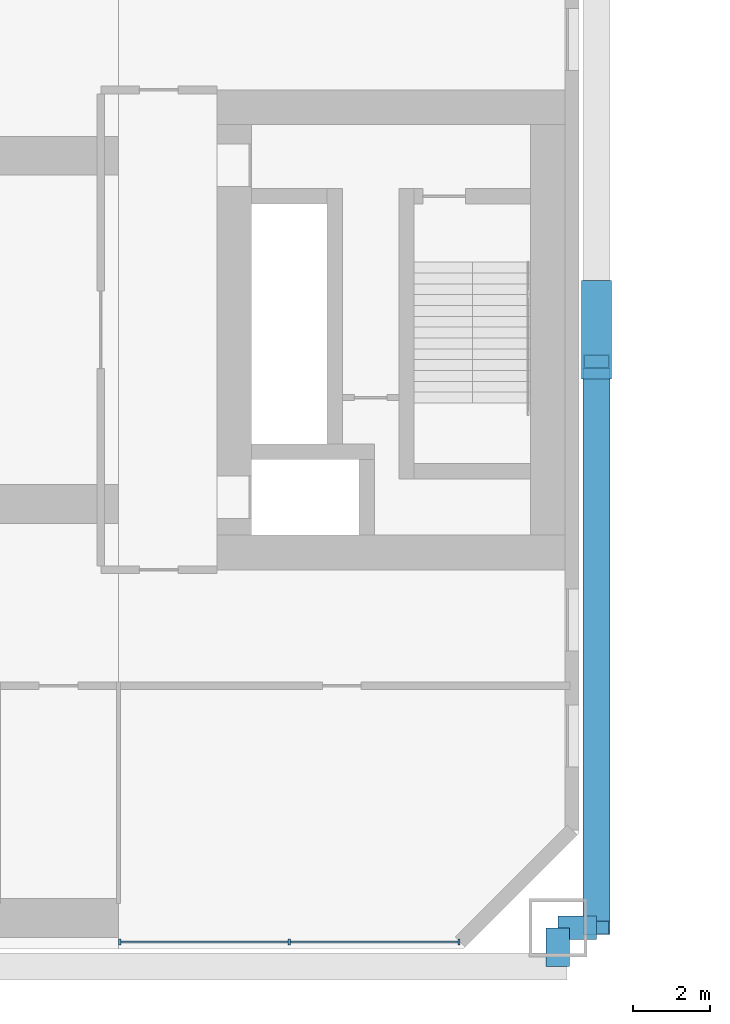
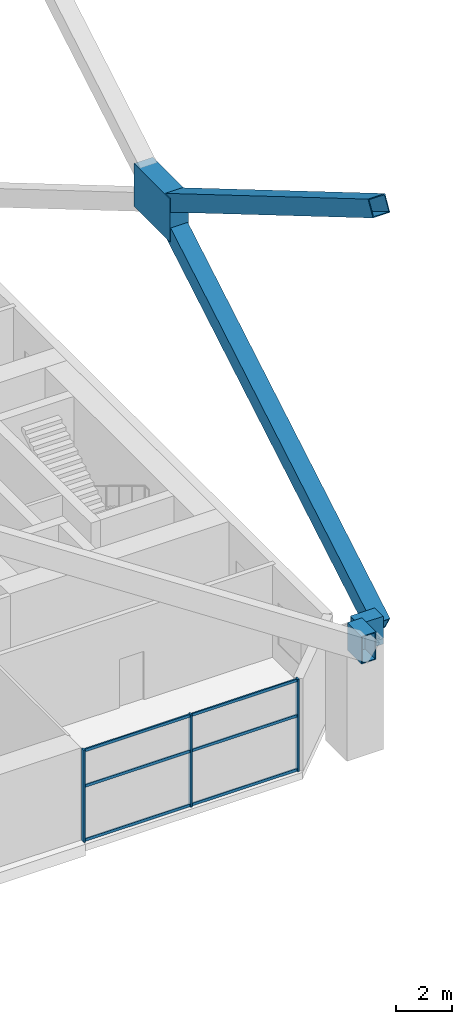
# One storey, part 5 of 25: 12 members, 2 beams, 1 element without a shape of its own.
"""IFC4 building model written with IfcOpenShell, lengths in metres."""

from ifc_helpers import new_model, si_unit, direction, frame, origin, origin_2d, place, context, subcontext, project, spatial, rectangle, hollow_rectangle, extrude, material, material_profile, profile_set, type_object, element, aggregate, save


model = new_model("IFC4")

# Units and contexts
model_context = context("Model", 3, precision=1e-05, world=origin(), true_north=direction((0.0, 1.0)))
body_context = subcontext(model_context, "Body", "Model", "MODEL_VIEW")
ifc_project = project(units=[si_unit("LENGTHUNIT", "METRE"), si_unit("AREAUNIT", "SQUARE_METRE"), si_unit("VOLUMEUNIT", "CUBIC_METRE"), si_unit("PLANEANGLEUNIT", "RADIAN"), si_unit("MASSUNIT", "GRAM", prefix="KILO")], contexts=[model_context])

# Site, building, storey
site_placement = place(None, origin())
site = spatial("IfcSite", under=ifc_project, at=site_placement, CompositionType="ELEMENT")
building_placement = place(site_placement, origin())
building = spatial("IfcBuilding", under=site, at=building_placement, Name="Tuart Gate Housing", CompositionType="ELEMENT")
storey_placement = place(building_placement, frame((0.0, 0.0, 14.699951171875)))
storey = spatial("IfcBuildingStorey", under=building, at=storey_placement, Name="L03", CompositionType="ELEMENT", Elevation=14.699951171875)

# Member
ifc_material_1 = material(Name="Steel Grade 350", Category="steel")
ifc_material_profile_1 = material_profile(ifc_material_1, rectangle(XDim=2.537109375, YDim=1.864013671875, at=origin_2d()), Name="Brace node plate 2537 x 1864")
ifc_profile_set_1 = profile_set([ifc_material_profile_1], Name="Steel Grade 350")
member_type_1 = type_object("IfcMemberType", Name="Brace node plate 2537 x 1864", PredefinedType="PLATE", material=ifc_profile_set_1)
member_1_placement = place(storey_placement, frame((76.06494140625, 70.0, 13.900146484375), z_axis=(1.0, 0.0, 0.0), x_axis=(0.0, 1.0, 0.0)))
element("IfcMember", 1, at=member_1_placement, inside=storey, type_object=member_type_1, Name="Brace node A zone 1 east", PredefinedType="PLATE", context=body_context, shape_type="SweptSolid", body=[
    extrude(rectangle(XDim=2.537109375, YDim=1.864013671875, at=origin_2d()), origin(), (0.0, 0.0, 1.0), 0.77001953125),
])

# Beams
ifc_material_2 = material(Name="Steel Grade 350", Category="steel")
ifc_material_profile_2 = material_profile(ifc_material_2, hollow_rectangle(XDim=0.60009765625, YDim=1.199951171875, WallThickness=0.0400390625, at=origin_2d()), Name="BOX 1200x600x40")
ifc_profile_set_2 = profile_set([ifc_material_profile_2], Name="Steel Grade 350")
beam_type = type_object("IfcBeamType", Name="Brace shoe BOX 1200x600x40", PredefinedType="BEAM", material=ifc_profile_set_2)
for number, where, z_axis, x_axis, name in (
    (2, (75.449951171875, 54.550048828125, 4.800048828125), (0.0, -1.0, 0.0), (1.0, 0.0, 0.0), "Mega brace shoe A zone 1 south chevron 2"),
    (3, (75.449951171875, 54.550048828125, 4.800048828125), (1.0, 0.0, 0.0), (0.0, 1.0, 0.0), "Mega brace shoe A zone 1 east cross 1"),
):
    element("IfcBeam", number, at=place(storey_placement, frame(where, z_axis=z_axis, x_axis=x_axis)), inside=storey, type_object=beam_type, Name=name, PredefinedType="BEAM", context=body_context, shape_type="SweptSolid", body=[
        extrude(hollow_rectangle(XDim=0.60009765625, YDim=1.199951171875, WallThickness=0.0400390625, at=origin_2d()), origin(), (0.0, 0.0, 1.0), 1.0),
    ])

# Members
ifc_material_3 = material(Name="Steel Grade 350", Category="steel")
ifc_material_profile_3 = material_profile(ifc_material_3, hollow_rectangle(XDim=0.699951171875, YDim=0.699951171875, WallThickness=0.034912109375, at=origin_2d()), Name="BOX 700x700x35")
ifc_profile_set_3 = profile_set([ifc_material_profile_3], Name="Steel Grade 350")
member_type_2 = type_object("IfcMemberType", Name="Mega brace BOX 700x700x35", PredefinedType="BRACE", material=ifc_profile_set_3)
for number, where, z_axis, x_axis, name in (
    (4, (76.449951171875, 54.550048828125, 4.800048828125), (0.0, 0.861644676374, 0.507512021214), (-1.0, 0.0, 0.0), "Mega brace A zone 1 east cross 1 a"),
    (5, (76.449951171875, 69.181396484375, 14.382080078125), (0.0, -0.861644676374, 0.507512021214), (1.0, 0.0, 0.0), "Mega brace A zone 1 east cross 2 b"),
):
    element("IfcMember", number, at=place(storey_placement, frame(where, z_axis=z_axis, x_axis=x_axis)), inside=storey, type_object=member_type_2, Name=name, PredefinedType="BRACE", context=body_context, shape_type="SweptSolid", body=[
        extrude(hollow_rectangle(XDim=0.699951171875, YDim=0.699951171875, WallThickness=0.034912109375, at=origin_2d()), origin(), (0.0, 0.0, 1.0), 16.980712890625),
    ])

# Curtain wall, members
ifc_material_4 = material(Name="Aluminium and clear glass", Category="aluminium")
curtain_wall_type = type_object("IfcCurtainWallType", Name="Community floor glazing", PredefinedType="USERDEFINED", material=ifc_material_4)
curtain_wall_placement = place(storey_placement, origin())
curtain_wall = element("IfcCurtainWall", 6, at=curtain_wall_placement, inside=storey, type_object=curtain_wall_type, Name="Community floor glazing A-S L03", ObjectType="COMMUNITY FLOOR GLAZING", PredefinedType="USERDEFINED")
ifc_material_5 = material(Name="Anodised aluminium", Category="aluminium")
ifc_material_profile_4 = material_profile(ifc_material_5, rectangle(XDim=0.06005859375, YDim=0.159912109375, at=origin_2d()), Name="60x160")
ifc_profile_set_4 = profile_set([ifc_material_profile_4], Name="Anodised aluminium")
member_type_3 = type_object("IfcMemberType", Name="Mullion 60 x 160", PredefinedType="MULLION", material=ifc_profile_set_4)
member_2_placement = place(storey_placement, frame((64.1298828125, 54.179931640625, 0.0), z_axis=(0.0, 0.0, 1.0), x_axis=(1.0, 0.0, 0.0)))
member_2 = element("IfcMember", 7, at=member_2_placement, type_object=member_type_3, Name="CW3 mullion 1", PredefinedType="MULLION", context=body_context, shape_type="SweptSolid", body=[
    extrude(rectangle(XDim=0.06005859375, YDim=0.159912109375, at=origin_2d()), origin(), (0.0, 0.0, 1.0), 4.0),
])
member_3_placement = place(storey_placement, frame((68.5126953125, 54.179931640625, 0.0), z_axis=(0.0, 0.0, 1.0), x_axis=(1.0, 0.0, 0.0)))
member_3 = element("IfcMember", 8, at=member_3_placement, type_object=member_type_3, Name="CW3 mullion 2", PredefinedType="MULLION", context=body_context, shape_type="SweptSolid", body=[
    extrude(rectangle(XDim=0.06005859375, YDim=0.159912109375, at=origin_2d()), origin(), (0.0, 0.0, 1.0), 4.0),
])
member_4_placement = place(storey_placement, frame((72.8955078125, 54.179931640625, 0.0), z_axis=(0.0, 0.0, 1.0), x_axis=(1.0, 0.0, 0.0)))
member_4 = element("IfcMember", 9, at=member_4_placement, type_object=member_type_3, Name="CW3 mullion 3", PredefinedType="MULLION", context=body_context, shape_type="SweptSolid", body=[
    extrude(rectangle(XDim=0.06005859375, YDim=0.159912109375, at=origin_2d()), origin(), (0.0, 0.0, 1.0), 4.0),
])
ifc_material_6 = material(Name="Anodised aluminium", Category="aluminium")
ifc_material_profile_5 = material_profile(ifc_material_6, rectangle(XDim=0.06005859375, YDim=0.1201171875, at=origin_2d()), Name="60x120")
ifc_profile_set_5 = profile_set([ifc_material_profile_5], Name="Anodised aluminium")
member_type_4 = type_object("IfcMemberType", Name="Transom 60 x 120", PredefinedType="USERDEFINED", material=ifc_profile_set_5)
member_5_placement = place(storey_placement, frame((64.159912109375, 54.179931640625, 0.06005859375), z_axis=(1.0, 0.0, 0.0), x_axis=(0.0, 1.0, 0.0)))
member_5 = element("IfcMember", 10, at=member_5_placement, type_object=member_type_4, Name="CW3 transom 1.1", ObjectType="TRANSOM", PredefinedType="USERDEFINED", context=body_context, shape_type="SweptSolid", body=[
    extrude(rectangle(XDim=0.06005859375, YDim=0.1201171875, at=origin_2d()), origin(), (0.0, 0.0, 1.0), 4.32275390625),
])
member_6_placement = place(storey_placement, frame((64.159912109375, 54.179931640625, 2.400146484375), z_axis=(1.0, 0.0, 0.0), x_axis=(0.0, 1.0, 0.0)))
member_6 = element("IfcMember", 11, at=member_6_placement, type_object=member_type_4, Name="CW3 transom 1.2", ObjectType="TRANSOM", PredefinedType="USERDEFINED", context=body_context, shape_type="SweptSolid", body=[
    extrude(rectangle(XDim=0.06005859375, YDim=0.1201171875, at=origin_2d()), origin(), (0.0, 0.0, 1.0), 4.32275390625),
])
member_7_placement = place(storey_placement, frame((64.159912109375, 54.179931640625, 3.93994140625), z_axis=(1.0, 0.0, 0.0), x_axis=(0.0, 1.0, 0.0)))
member_7 = element("IfcMember", 12, at=member_7_placement, type_object=member_type_4, Name="CW3 transom 1.3", ObjectType="TRANSOM", PredefinedType="USERDEFINED", context=body_context, shape_type="SweptSolid", body=[
    extrude(rectangle(XDim=0.06005859375, YDim=0.1201171875, at=origin_2d()), origin(), (0.0, 0.0, 1.0), 4.32275390625),
])
member_8_placement = place(storey_placement, frame((68.542724609375, 54.179931640625, 0.06005859375), z_axis=(1.0, 0.0, 0.0), x_axis=(0.0, 1.0, 0.0)))
member_8 = element("IfcMember", 13, at=member_8_placement, type_object=member_type_4, Name="CW3 transom 2.1", ObjectType="TRANSOM", PredefinedType="USERDEFINED", context=body_context, shape_type="SweptSolid", body=[
    extrude(rectangle(XDim=0.06005859375, YDim=0.1201171875, at=origin_2d()), origin(), (0.0, 0.0, 1.0), 4.32275390625),
])
member_9_placement = place(storey_placement, frame((68.542724609375, 54.179931640625, 2.400146484375), z_axis=(1.0, 0.0, 0.0), x_axis=(0.0, 1.0, 0.0)))
member_9 = element("IfcMember", 14, at=member_9_placement, type_object=member_type_4, Name="CW3 transom 2.2", ObjectType="TRANSOM", PredefinedType="USERDEFINED", context=body_context, shape_type="SweptSolid", body=[
    extrude(rectangle(XDim=0.06005859375, YDim=0.1201171875, at=origin_2d()), origin(), (0.0, 0.0, 1.0), 4.32275390625),
])
member_10_placement = place(storey_placement, frame((68.542724609375, 54.179931640625, 3.93994140625), z_axis=(1.0, 0.0, 0.0), x_axis=(0.0, 1.0, 0.0)))
member_10 = element("IfcMember", 15, at=member_10_placement, type_object=member_type_4, Name="CW3 transom 2.3", ObjectType="TRANSOM", PredefinedType="USERDEFINED", context=body_context, shape_type="SweptSolid", body=[
    extrude(rectangle(XDim=0.06005859375, YDim=0.1201171875, at=origin_2d()), origin(), (0.0, 0.0, 1.0), 4.32275390625),
])
aggregate(curtain_wall, [member_2, member_3, member_4, member_5, member_6, member_7, member_8, member_9, member_10])

save(model, "model.ifc")
